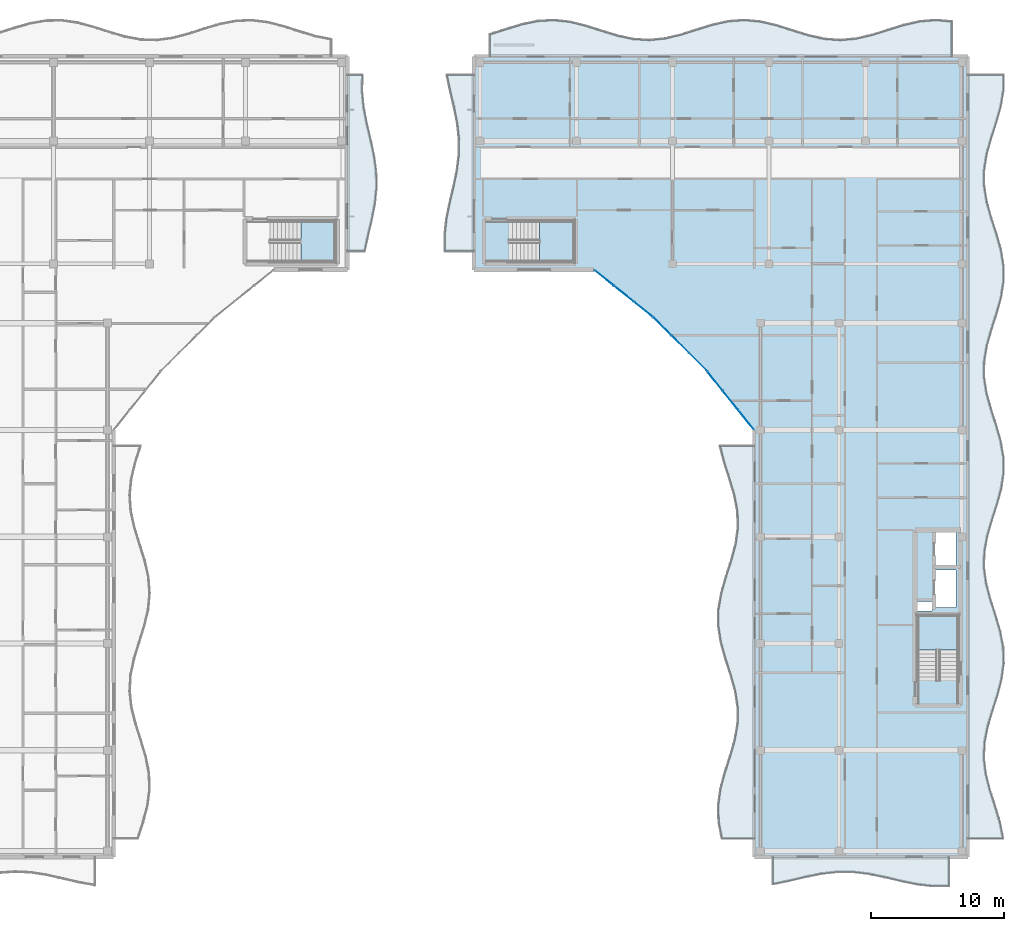
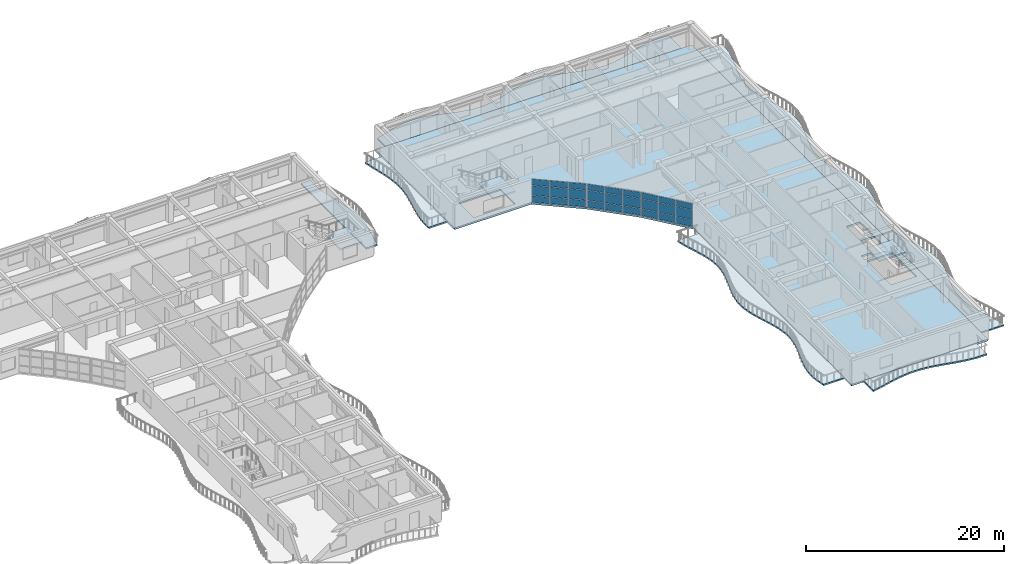
# One storey, part 28 of 71: 27 plates, 10 slabs, 6 elements without a shape of their own.
"""IFC4 building model written with IfcOpenShell, lengths in metres."""

from ifc_helpers import new_model, si_unit, direction, frame, origin, origin_2d, place, context, subcontext, project, spatial, polyline, rectangle, outline, extrude, material, layer, layer_set, type_object, element, aggregate, save


model = new_model("IFC4")

# Units and contexts
model_context = context("Model", 3, precision=1e-05, world=origin(), true_north=direction((0.0, 1.0)))
body_context = subcontext(model_context, "Body", "Model", "MODEL_VIEW")
ifc_project = project(units=[si_unit("LENGTHUNIT", "METRE"), si_unit("AREAUNIT", "SQUARE_METRE"), si_unit("VOLUMEUNIT", "CUBIC_METRE"), si_unit("PLANEANGLEUNIT", "RADIAN"), si_unit("MASSUNIT", "GRAM", prefix="KILO")], contexts=[model_context])

# Site, building, storey
site_placement = place(None, origin())
site = spatial("IfcSite", under=ifc_project, at=site_placement, CompositionType="ELEMENT")
building_placement = place(site_placement, origin())
building = spatial("IfcBuilding", under=site, at=building_placement, Name="Keldmere Railside Commons", CompositionType="ELEMENT")
storey_placement = place(building_placement, frame((0.0, 0.0, 20.159912109375)))
storey = spatial("IfcBuildingStorey", under=building, at=storey_placement, Name="L06", CompositionType="ELEMENT", Elevation=20.159912109375)

# Curtain wall, plates
ifc_material_1 = material(Name="Thermally Broken Aluminium", Category="aluminium")
ifc_layer_1 = layer(ifc_material_1, 0.159912109375, Name="Court Chord Wintergarden CW 5400x2850")
ifc_layer_set_1 = layer_set([ifc_layer_1], Name="Thermally Broken Aluminium")
curtain_wall_type_1 = type_object("IfcCurtainWallType", Name="Court Chord Wintergarden CW 5400x2850", PredefinedType="NOTDEFINED", material=ifc_layer_set_1)
curtain_wall_1_placement = place(storey_placement, origin())
curtain_wall_1 = element("IfcCurtainWall", 1, at=curtain_wall_1_placement, inside=storey, type_object=curtain_wall_type_1, Name="CW-13 CW-L06-175", PredefinedType="NOTDEFINED")
ifc_material_2 = material(Name="Low-E Insulated Double Glazing", Category="glass")
ifc_layer_2 = layer(ifc_material_2, 0.033935546875, Name="Acoustic Laminated Vision Panel 34")
ifc_layer_set_2 = layer_set([ifc_layer_2], Name="Low-E Insulated Double Glazing")
plate_type_1 = type_object("IfcPlateType", Name="Acoustic Laminated Vision Panel 34", PredefinedType="CURTAIN_PANEL", material=ifc_layer_set_2)
plate_1_placement = place(storey_placement, frame((159.678955078125, 97.048583984375, 0.06494140625), z_axis=(0.0, 0.0, 1.0), x_axis=(-0.780009172323, 0.625768080915, 0.0)))
plate_1 = element("IfcPlate", 2, at=plate_1_placement, type_object=plate_type_1, Name="CW-13 panel 1.1", PredefinedType="CURTAIN_PANEL", context=body_context, shape_type="SweptSolid", body=[
    extrude(rectangle(XDim=1.795654296875, YDim=0.033935546875, at=origin_2d()), origin(), (0.0, 0.0, 1.0), 0.802490234375),
])
plate_2_placement = place(storey_placement, frame((159.678955078125, 97.048583984375, 0.9326171875), z_axis=(0.0, 0.0, 1.0), x_axis=(-0.780009172323, 0.625768080915, 0.0)))
plate_2 = element("IfcPlate", 3, at=plate_2_placement, type_object=plate_type_1, Name="CW-13 panel 1.2", PredefinedType="CURTAIN_PANEL", context=body_context, shape_type="SweptSolid", body=[
    extrude(rectangle(XDim=1.795654296875, YDim=0.033935546875, at=origin_2d()), origin(), (0.0, 0.0, 1.0), 1.18505859375),
])
plate_3_placement = place(storey_placement, frame((159.678955078125, 97.048583984375, 2.1826171875), z_axis=(0.0, 0.0, 1.0), x_axis=(-0.780009172323, 0.625768080915, 0.0)))
plate_3 = element("IfcPlate", 4, at=plate_3_placement, type_object=plate_type_1, Name="CW-13 panel 1.3", PredefinedType="CURTAIN_PANEL", context=body_context, shape_type="SweptSolid", body=[
    extrude(rectangle(XDim=1.795654296875, YDim=0.033935546875, at=origin_2d()), origin(), (0.0, 0.0, 1.0), 0.732421875),
])
plate_4_placement = place(storey_placement, frame((158.215087890625, 98.222900390625, 0.06494140625), z_axis=(0.0, 0.0, 1.0), x_axis=(-0.780009172323, 0.625768080915, 0.0)))
plate_4 = element("IfcPlate", 5, at=plate_4_placement, type_object=plate_type_1, Name="CW-13 panel 2.1", PredefinedType="CURTAIN_PANEL", context=body_context, shape_type="SweptSolid", body=[
    extrude(rectangle(XDim=1.828125, YDim=0.033935546875, at=origin_2d()), origin(), (0.0, 0.0, 1.0), 0.802490234375),
])
plate_5_placement = place(storey_placement, frame((158.215087890625, 98.222900390625, 0.9326171875), z_axis=(0.0, 0.0, 1.0), x_axis=(-0.780009172323, 0.625768080915, 0.0)))
plate_5 = element("IfcPlate", 6, at=plate_5_placement, type_object=plate_type_1, Name="CW-13 panel 2.2", PredefinedType="CURTAIN_PANEL", context=body_context, shape_type="SweptSolid", body=[
    extrude(rectangle(XDim=1.828125, YDim=0.033935546875, at=origin_2d()), origin(), (0.0, 0.0, 1.0), 1.18505859375),
])
plate_6_placement = place(storey_placement, frame((158.215087890625, 98.222900390625, 2.1826171875), z_axis=(0.0, 0.0, 1.0), x_axis=(-0.780009172323, 0.625768080915, 0.0)))
plate_6 = element("IfcPlate", 7, at=plate_6_placement, type_object=plate_type_1, Name="CW-13 panel 2.3", PredefinedType="CURTAIN_PANEL", context=body_context, shape_type="SweptSolid", body=[
    extrude(rectangle(XDim=1.828125, YDim=0.033935546875, at=origin_2d()), origin(), (0.0, 0.0, 1.0), 0.732421875),
])
plate_7_placement = place(storey_placement, frame((156.7509765625, 99.3974609375, 0.06494140625), z_axis=(0.0, 0.0, 1.0), x_axis=(-0.780009172323, 0.625768080915, 0.0)))
plate_7 = element("IfcPlate", 8, at=plate_7_placement, type_object=plate_type_1, Name="CW-13 panel 3.1", PredefinedType="CURTAIN_PANEL", context=body_context, shape_type="SweptSolid", body=[
    extrude(rectangle(XDim=1.795654296875, YDim=0.033935546875, at=origin_2d()), origin(), (0.0, 0.0, 1.0), 0.802490234375),
])
plate_8_placement = place(storey_placement, frame((156.7509765625, 99.3974609375, 0.9326171875), z_axis=(0.0, 0.0, 1.0), x_axis=(-0.780009172323, 0.625768080915, 0.0)))
plate_8 = element("IfcPlate", 9, at=plate_8_placement, type_object=plate_type_1, Name="CW-13 panel 3.2", PredefinedType="CURTAIN_PANEL", context=body_context, shape_type="SweptSolid", body=[
    extrude(rectangle(XDim=1.795654296875, YDim=0.033935546875, at=origin_2d()), origin(), (0.0, 0.0, 1.0), 1.18505859375),
])
plate_9_placement = place(storey_placement, frame((156.7509765625, 99.3974609375, 2.1826171875), z_axis=(0.0, 0.0, 1.0), x_axis=(-0.780009172323, 0.625768080915, 0.0)))
plate_9 = element("IfcPlate", 10, at=plate_9_placement, type_object=plate_type_1, Name="CW-13 panel 3.3", PredefinedType="CURTAIN_PANEL", context=body_context, shape_type="SweptSolid", body=[
    extrude(rectangle(XDim=1.795654296875, YDim=0.033935546875, at=origin_2d()), origin(), (0.0, 0.0, 1.0), 0.732421875),
])
aggregate(curtain_wall_1, [plate_1, plate_2, plate_3, plate_4, plate_5, plate_6, plate_7, plate_8, plate_9])

ifc_layer_3 = layer(ifc_material_1, 0.159912109375, Name="Court Chord Wintergarden CW 4800x2850")
ifc_layer_set_3 = layer_set([ifc_layer_3], Name="Thermally Broken Aluminium")
curtain_wall_type_2 = type_object("IfcCurtainWallType", Name="Court Chord Wintergarden CW 4800x2850", PredefinedType="NOTDEFINED", material=ifc_layer_set_3)
curtain_wall_2_placement = place(storey_placement, origin())
curtain_wall_2 = element("IfcCurtainWall", 11, at=curtain_wall_2_placement, inside=storey, type_object=curtain_wall_type_2, Name="CW-12 CW-L06-176", PredefinedType="NOTDEFINED")
ifc_layer_4 = layer(ifc_material_2, 0.031982421875, Name="Clerestory Solar-Control Vision Panel 32")
ifc_layer_set_4 = layer_set([ifc_layer_4], Name="Low-E Insulated Double Glazing")
plate_type_2 = type_object("IfcPlateType", Name="Clerestory Solar-Control Vision Panel 32", PredefinedType="CURTAIN_PANEL", material=ifc_layer_set_4)
plate_10_placement = place(storey_placement, frame((163.76513671875, 93.11083984375, 0.06494140625), z_axis=(0.0, 0.0, 1.0), x_axis=(-0.707106781187, 0.707106781187, 0.0)))
plate_10 = element("IfcPlate", 12, at=plate_10_placement, type_object=plate_type_2, Name="CW-12 panel 1.1", PredefinedType="CURTAIN_PANEL", context=body_context, shape_type="SweptSolid", body=[
    extrude(rectangle(XDim=1.795654296875, YDim=0.031982421875, at=origin_2d()), origin(), (0.0, 0.0, 1.0), 0.802490234375),
])
plate_11_placement = place(storey_placement, frame((163.76513671875, 93.11083984375, 0.9326171875), z_axis=(0.0, 0.0, 1.0), x_axis=(-0.707106781187, 0.707106781187, 0.0)))
plate_11 = element("IfcPlate", 13, at=plate_11_placement, type_object=plate_type_2, Name="CW-12 panel 1.2", PredefinedType="CURTAIN_PANEL", context=body_context, shape_type="SweptSolid", body=[
    extrude(rectangle(XDim=1.795654296875, YDim=0.031982421875, at=origin_2d()), origin(), (0.0, 0.0, 1.0), 1.18505859375),
])
plate_12_placement = place(storey_placement, frame((163.76513671875, 93.11083984375, 2.1826171875), z_axis=(0.0, 0.0, 1.0), x_axis=(-0.707106781187, 0.707106781187, 0.0)))
plate_12 = element("IfcPlate", 14, at=plate_12_placement, type_object=plate_type_2, Name="CW-12 panel 1.3", PredefinedType="CURTAIN_PANEL", context=body_context, shape_type="SweptSolid", body=[
    extrude(rectangle(XDim=1.795654296875, YDim=0.031982421875, at=origin_2d()), origin(), (0.0, 0.0, 1.0), 0.732421875),
])
plate_13_placement = place(storey_placement, frame((162.43798828125, 94.43798828125, 0.06494140625), z_axis=(0.0, 0.0, 1.0), x_axis=(-0.707106781187, 0.707106781187, 0.0)))
plate_13 = element("IfcPlate", 15, at=plate_13_placement, type_object=plate_type_2, Name="CW-12 panel 2.1", PredefinedType="CURTAIN_PANEL", context=body_context, shape_type="SweptSolid", body=[
    extrude(rectangle(XDim=1.828125, YDim=0.031982421875, at=origin_2d()), origin(), (0.0, 0.0, 1.0), 0.802490234375),
])
plate_14_placement = place(storey_placement, frame((162.43798828125, 94.43798828125, 0.9326171875), z_axis=(0.0, 0.0, 1.0), x_axis=(-0.707106781187, 0.707106781187, 0.0)))
plate_14 = element("IfcPlate", 16, at=plate_14_placement, type_object=plate_type_2, Name="CW-12 panel 2.2", PredefinedType="CURTAIN_PANEL", context=body_context, shape_type="SweptSolid", body=[
    extrude(rectangle(XDim=1.828125, YDim=0.031982421875, at=origin_2d()), origin(), (0.0, 0.0, 1.0), 1.18505859375),
])
plate_15_placement = place(storey_placement, frame((162.43798828125, 94.43798828125, 2.1826171875), z_axis=(0.0, 0.0, 1.0), x_axis=(-0.707106781187, 0.707106781187, 0.0)))
plate_15 = element("IfcPlate", 17, at=plate_15_placement, type_object=plate_type_2, Name="CW-12 panel 2.3", PredefinedType="CURTAIN_PANEL", context=body_context, shape_type="SweptSolid", body=[
    extrude(rectangle(XDim=1.828125, YDim=0.031982421875, at=origin_2d()), origin(), (0.0, 0.0, 1.0), 0.732421875),
])
plate_16_placement = place(storey_placement, frame((161.11083984375, 95.76513671875, 0.06494140625), z_axis=(0.0, 0.0, 1.0), x_axis=(-0.707106781187, 0.707106781187, 0.0)))
plate_16 = element("IfcPlate", 18, at=plate_16_placement, type_object=plate_type_2, Name="CW-12 panel 3.1", PredefinedType="CURTAIN_PANEL", context=body_context, shape_type="SweptSolid", body=[
    extrude(rectangle(XDim=1.795654296875, YDim=0.031982421875, at=origin_2d()), origin(), (0.0, 0.0, 1.0), 0.802490234375),
])
plate_17_placement = place(storey_placement, frame((161.11083984375, 95.76513671875, 0.9326171875), z_axis=(0.0, 0.0, 1.0), x_axis=(-0.707106781187, 0.707106781187, 0.0)))
plate_17 = element("IfcPlate", 19, at=plate_17_placement, type_object=plate_type_2, Name="CW-12 panel 3.2", PredefinedType="CURTAIN_PANEL", context=body_context, shape_type="SweptSolid", body=[
    extrude(rectangle(XDim=1.795654296875, YDim=0.031982421875, at=origin_2d()), origin(), (0.0, 0.0, 1.0), 1.18505859375),
])
plate_18_placement = place(storey_placement, frame((161.11083984375, 95.76513671875, 2.1826171875), z_axis=(0.0, 0.0, 1.0), x_axis=(-0.707106781187, 0.707106781187, 0.0)))
plate_18 = element("IfcPlate", 20, at=plate_18_placement, type_object=plate_type_2, Name="CW-12 panel 3.3", PredefinedType="CURTAIN_PANEL", context=body_context, shape_type="SweptSolid", body=[
    extrude(rectangle(XDim=1.795654296875, YDim=0.031982421875, at=origin_2d()), origin(), (0.0, 0.0, 1.0), 0.732421875),
])
aggregate(curtain_wall_2, [plate_10, plate_11, plate_12, plate_13, plate_14, plate_15, plate_16, plate_17, plate_18])

# Stair, slab
ifc_material_3 = material(Name="Concrete H-30 (C30/37)", Category="concrete")
stair_type_1 = type_object("IfcStairType", Name="Basement Garage Dogleg Escape Stair 1450", PredefinedType="HALF_TURN_STAIR", material=ifc_material_3)
stair_1_placement = place(storey_placement, origin())
stair_1 = element("IfcStair", 21, at=stair_1_placement, inside=storey, type_object=stair_type_1, Name="L06 Block B Secondary Escape Stair 2", PredefinedType="HALF_TURN_STAIR")
ifc_layer_5 = layer(ifc_material_3, 0.199951171875, Name="Enclosed Stair Landing Slab 200")
ifc_layer_set_5 = layer_set([ifc_layer_5], Name="Concrete H-30 (C30/37)")
slab_type_1 = type_object("IfcSlabType", Name="Enclosed Stair Landing Slab 200", PredefinedType="LANDING", material=ifc_layer_set_5)
slab_1_placement = place(storey_placement, frame((0.0, 0.0, 1.400146484375)))
slab_1 = element("IfcSlab", 22, at=slab_1_placement, type_object=slab_type_1, Name="ST-B2 landing 1", PredefinedType="LANDING", context=body_context, shape_type="SweptSolid", body=[
    extrude(outline(polyline([(134.02001953125, 100.60009765625), (136.60009765625, 100.60009765625), (136.60009765625, 103.64990234375), (134.02001953125, 103.64990234375), (134.02001953125, 100.60009765625)])), origin(), (0.0, 0.0, 1.0), 0.199951171875),
])
aggregate(stair_1, [slab_1])

stair_type_2 = type_object("IfcStairType", Name="Residential Core Dogleg Stair 1450", PredefinedType="HALF_TURN_STAIR", material=ifc_material_3)
stair_2_placement = place(storey_placement, origin())
stair_2 = element("IfcStair", 23, at=stair_2_placement, inside=storey, type_object=stair_type_2, Name="L06 Block A Primary Escape Stair 1", PredefinedType="HALF_TURN_STAIR")
slab_2_placement = place(storey_placement, frame((0.0, 0.0, 1.400146484375)))
slab_2 = element("IfcSlab", 24, at=slab_2_placement, type_object=slab_type_1, Name="ST-A1 landing 1", PredefinedType="LANDING", context=body_context, shape_type="SweptSolid", body=[
    extrude(outline(polyline([(183.300048828125, 71.52001953125), (183.300048828125, 74.10009765625), (180.25, 74.10009765625), (180.25, 71.52001953125), (183.300048828125, 71.52001953125)])), origin(), (0.0, 0.0, 1.0), 0.199951171875),
])
aggregate(stair_2, [slab_2])

stair_3_placement = place(storey_placement, origin())
stair_3 = element("IfcStair", 25, at=stair_3_placement, inside=storey, type_object=stair_type_2, Name="L06 Block A Secondary Escape Stair 2", PredefinedType="HALF_TURN_STAIR")
slab_3_placement = place(storey_placement, frame((0.0, 0.0, 1.400146484375)))
slab_3 = element("IfcSlab", 26, at=slab_3_placement, type_object=slab_type_1, Name="ST-A2 landing 1", PredefinedType="LANDING", context=body_context, shape_type="SweptSolid", body=[
    extrude(outline(polyline([(151.919921875, 100.60009765625), (154.5, 100.60009765625), (154.5, 103.64990234375), (151.919921875, 103.64990234375), (151.919921875, 100.60009765625)])), origin(), (0.0, 0.0, 1.0), 0.199951171875),
])
aggregate(stair_3, [slab_3])

# Curtain wall, plates
curtain_wall_3_placement = place(storey_placement, origin())
curtain_wall_3 = element("IfcCurtainWall", 27, at=curtain_wall_3_placement, inside=storey, type_object=curtain_wall_type_1, Name="CW-13 CW-L06-177", PredefinedType="NOTDEFINED")
ifc_layer_6 = layer(ifc_material_2, 0.028076171875, Name="Low-E Vision Glazing Panel 28")
ifc_layer_set_6 = layer_set([ifc_layer_6], Name="Low-E Insulated Double Glazing")
plate_type_3 = type_object("IfcPlateType", Name="Low-E Vision Glazing Panel 28", PredefinedType="CURTAIN_PANEL", material=ifc_layer_set_6)
plate_19_placement = place(storey_placement, frame((167.3974609375, 88.7509765625, 0.06494140625), z_axis=(0.0, 0.0, 1.0), x_axis=(-0.625768080915, 0.780009172323, 0.0)))
plate_19 = element("IfcPlate", 28, at=plate_19_placement, type_object=plate_type_3, Name="CW-13 panel 1.1", PredefinedType="CURTAIN_PANEL", context=body_context, shape_type="SweptSolid", body=[
    extrude(rectangle(XDim=1.795654296875, YDim=0.028076171875, at=origin_2d()), origin(), (0.0, 0.0, 1.0), 0.802490234375),
])
plate_20_placement = place(storey_placement, frame((167.3974609375, 88.7509765625, 0.9326171875), z_axis=(0.0, 0.0, 1.0), x_axis=(-0.625768080915, 0.780009172323, 0.0)))
plate_20 = element("IfcPlate", 29, at=plate_20_placement, type_object=plate_type_3, Name="CW-13 panel 1.2", PredefinedType="CURTAIN_PANEL", context=body_context, shape_type="SweptSolid", body=[
    extrude(rectangle(XDim=1.795654296875, YDim=0.028076171875, at=origin_2d()), origin(), (0.0, 0.0, 1.0), 1.18505859375),
])
plate_21_placement = place(storey_placement, frame((167.3974609375, 88.7509765625, 2.1826171875), z_axis=(0.0, 0.0, 1.0), x_axis=(-0.625768080915, 0.780009172323, 0.0)))
plate_21 = element("IfcPlate", 30, at=plate_21_placement, type_object=plate_type_3, Name="CW-13 panel 1.3", PredefinedType="CURTAIN_PANEL", context=body_context, shape_type="SweptSolid", body=[
    extrude(rectangle(XDim=1.795654296875, YDim=0.028076171875, at=origin_2d()), origin(), (0.0, 0.0, 1.0), 0.732421875),
])
plate_22_placement = place(storey_placement, frame((166.222900390625, 90.215087890625, 0.06494140625), z_axis=(0.0, 0.0, 1.0), x_axis=(-0.625768080915, 0.780009172323, 0.0)))
plate_22 = element("IfcPlate", 31, at=plate_22_placement, type_object=plate_type_3, Name="CW-13 panel 2.1", PredefinedType="CURTAIN_PANEL", context=body_context, shape_type="SweptSolid", body=[
    extrude(rectangle(XDim=1.828125, YDim=0.028076171875, at=origin_2d()), origin(), (0.0, 0.0, 1.0), 0.802490234375),
])
plate_23_placement = place(storey_placement, frame((166.222900390625, 90.215087890625, 0.9326171875), z_axis=(0.0, 0.0, 1.0), x_axis=(-0.625768080915, 0.780009172323, 0.0)))
plate_23 = element("IfcPlate", 32, at=plate_23_placement, type_object=plate_type_3, Name="CW-13 panel 2.2", PredefinedType="CURTAIN_PANEL", context=body_context, shape_type="SweptSolid", body=[
    extrude(rectangle(XDim=1.828125, YDim=0.028076171875, at=origin_2d()), origin(), (0.0, 0.0, 1.0), 1.18505859375),
])
plate_24_placement = place(storey_placement, frame((166.222900390625, 90.215087890625, 2.1826171875), z_axis=(0.0, 0.0, 1.0), x_axis=(-0.625768080915, 0.780009172323, 0.0)))
plate_24 = element("IfcPlate", 33, at=plate_24_placement, type_object=plate_type_3, Name="CW-13 panel 2.3", PredefinedType="CURTAIN_PANEL", context=body_context, shape_type="SweptSolid", body=[
    extrude(rectangle(XDim=1.828125, YDim=0.028076171875, at=origin_2d()), origin(), (0.0, 0.0, 1.0), 0.732421875),
])
plate_25_placement = place(storey_placement, frame((165.048583984375, 91.678955078125, 0.06494140625), z_axis=(0.0, 0.0, 1.0), x_axis=(-0.625768080915, 0.780009172323, 0.0)))
plate_25 = element("IfcPlate", 34, at=plate_25_placement, type_object=plate_type_3, Name="CW-13 panel 3.1", PredefinedType="CURTAIN_PANEL", context=body_context, shape_type="SweptSolid", body=[
    extrude(rectangle(XDim=1.795654296875, YDim=0.028076171875, at=origin_2d()), origin(), (0.0, 0.0, 1.0), 0.802490234375),
])
plate_26_placement = place(storey_placement, frame((165.048583984375, 91.678955078125, 0.9326171875), z_axis=(0.0, 0.0, 1.0), x_axis=(-0.625768080915, 0.780009172323, 0.0)))
plate_26 = element("IfcPlate", 35, at=plate_26_placement, type_object=plate_type_3, Name="CW-13 panel 3.2", PredefinedType="CURTAIN_PANEL", context=body_context, shape_type="SweptSolid", body=[
    extrude(rectangle(XDim=1.795654296875, YDim=0.028076171875, at=origin_2d()), origin(), (0.0, 0.0, 1.0), 1.18505859375),
])
plate_27_placement = place(storey_placement, frame((165.048583984375, 91.678955078125, 2.1826171875), z_axis=(0.0, 0.0, 1.0), x_axis=(-0.625768080915, 0.780009172323, 0.0)))
plate_27 = element("IfcPlate", 36, at=plate_27_placement, type_object=plate_type_3, Name="CW-13 panel 3.3", PredefinedType="CURTAIN_PANEL", context=body_context, shape_type="SweptSolid", body=[
    extrude(rectangle(XDim=1.795654296875, YDim=0.028076171875, at=origin_2d()), origin(), (0.0, 0.0, 1.0), 0.732421875),
])
aggregate(curtain_wall_3, [plate_19, plate_20, plate_21, plate_22, plate_23, plate_24, plate_25, plate_26, plate_27])

# Slabs
ifc_layer_7 = layer(ifc_material_3, 0.219970703125, Name="Residential Flat Slab 220")
ifc_layer_set_7 = layer_set([ifc_layer_7], Name="Concrete H-30 (C30/37)")
slab_type_2 = type_object("IfcSlabType", Name="Residential Flat Slab 220", PredefinedType="FLOOR", material=ifc_layer_set_7)
slab_4_placement = place(storey_placement, frame((0.0, 0.0, -0.219970703125)))
element("IfcSlab", 37, at=slab_4_placement, inside=storey, type_object=slab_type_2, Name="FS-2 BLKA-L06-059", PredefinedType="FLOOR", context=body_context, shape_type="SweptSolid", body=[
    extrude(outline(polyline([(168.0, 56.0), (184.0, 56.0), (184.0, 116.0), (147.0, 116.0), (147.0, 100.0), (156.0, 100.0), (160.429931640625, 96.446044921875), (164.446044921875, 92.429931640625), (168.0, 88.0), (168.0, 56.0)]), holes=[polyline([(183.27490234375, 69.22509765625), (180.27490234375, 69.22509765625), (180.27490234375, 74.074951171875), (183.27490234375, 74.074951171875), (183.27490234375, 69.22509765625)]), polyline([(180.219970703125, 74.419921875), (180.219970703125, 75.159912109375), (181.320068359375, 75.159912109375), (181.320068359375, 74.419921875), (180.219970703125, 74.419921875)]), polyline([(183.10009765625, 74.699951171875), (181.5, 74.699951171875), (181.5, 77.5), (183.10009765625, 77.5), (183.10009765625, 74.699951171875)]), polyline([(183.10009765625, 77.75), (181.5, 77.75), (181.5, 80.39990234375), (183.10009765625, 80.39990234375), (183.10009765625, 77.75)]), polyline([(149.625, 103.625), (154.47509765625, 103.625), (154.47509765625, 100.625), (149.625, 100.625), (149.625, 103.625)])]), origin(), (0.0, 0.0, 1.0), 0.219970703125),
])
ifc_material_4 = material(Name="White Precast Concrete H-35 (C35/45)", Category="concrete")
ifc_layer_8 = layer(ifc_material_4, 0.179931640625, Name="Sinusoidal Wave Balcony Slab 180")
ifc_layer_set_8 = layer_set([ifc_layer_8], Name="White Precast Concrete H-35 (C35/45)")
slab_type_3 = type_object("IfcSlabType", Name="Sinusoidal Wave Balcony Slab 180", PredefinedType="FLOOR", material=ifc_layer_set_8)
slab_5_placement = place(storey_placement, frame((0.0, 0.0, -0.179931640625)))
element("IfcSlab", 38, at=slab_5_placement, inside=storey, type_object=slab_type_3, Name="WB-1 B L06 WE Wave Balcony", PredefinedType="FLOOR", context=body_context, shape_type="SweptSolid", body=[
    extrude(outline(polyline([(138.802734375, 101.39990234375), (139.0625, 102.60009765625), (139.345703125, 103.800048828125), (139.57666015625, 105.0), (139.693115234375, 106.199951171875), (139.6640625, 107.39990234375), (139.497314453125, 108.60009765625), (139.2373046875, 109.800048828125), (138.9541015625, 111.0), (138.723388671875, 112.199951171875), (138.60693359375, 113.39990234375), (138.635986328125, 114.60009765625), (137.5, 114.60009765625), (137.5, 113.39990234375), (137.5, 112.199951171875), (137.5, 111.0), (137.5, 109.800048828125), (137.5, 108.60009765625), (137.5, 107.39990234375), (137.5, 106.199951171875), (137.5, 105.0), (137.5, 103.800048828125), (137.5, 102.60009765625), (137.5, 101.39990234375), (138.802734375, 101.39990234375)])), origin(), (0.0, 0.0, 1.0), 0.179931640625),
])
slab_6_placement = place(storey_placement, frame((0.0, 0.0, -0.179931640625)))
element("IfcSlab", 39, at=slab_6_placement, inside=storey, type_object=slab_type_3, Name="WB-1 A L06 N Wave Balcony", PredefinedType="FLOOR", context=body_context, shape_type="SweptSolid", body=[
    extrude(outline(polyline([(148.199951171875, 116.0), (149.39306640625, 116.0), (150.586181640625, 116.0), (151.779296875, 116.0), (152.972412109375, 116.0), (154.16552734375, 116.0), (155.358642578125, 116.0), (156.5517578125, 116.0), (157.744873046875, 116.0), (158.93798828125, 116.0), (160.131103515625, 116.0), (161.32421875, 116.0), (162.51708984375, 116.0), (163.710205078125, 116.0), (164.9033203125, 116.0), (166.0966796875, 116.0), (167.289794921875, 116.0), (168.48291015625, 116.0), (169.67578125, 116.0), (170.868896484375, 116.0), (172.06201171875, 116.0), (173.255126953125, 116.0), (174.4482421875, 116.0), (175.641357421875, 116.0), (176.83447265625, 116.0), (178.027587890625, 116.0), (179.220703125, 116.0), (180.413818359375, 116.0), (181.60693359375, 116.0), (182.800048828125, 116.0), (182.800048828125, 118.598388671875), (181.60693359375, 118.699951171875), (180.413818359375, 118.602783203125), (179.220703125, 118.3330078125), (178.027587890625, 117.96142578125), (176.83447265625, 117.5869140625), (175.641357421875, 117.30859375), (174.4482421875, 117.2001953125), (173.255126953125, 117.29052734375), (172.06201171875, 117.555419921875), (170.868896484375, 117.925048828125), (169.67578125, 118.30126953125), (168.48291015625, 118.584228515625), (167.289794921875, 118.69921875), (166.0966796875, 118.61572265625), (164.9033203125, 118.35595703125), (163.710205078125, 117.98828125), (162.51708984375, 117.61083984375), (161.32421875, 117.322998046875), (160.131103515625, 117.201416015625), (158.93798828125, 117.278076171875), (157.744873046875, 117.53271484375), (156.5517578125, 117.89794921875), (155.358642578125, 118.277099609375), (154.16552734375, 118.5693359375), (152.972412109375, 118.69775390625), (151.779296875, 118.6279296875), (150.586181640625, 118.37841796875), (149.39306640625, 118.015380859375), (148.199951171875, 117.63525390625), (148.199951171875, 116.0)])), origin(), (0.0, 0.0, 1.0), 0.179931640625),
])
slab_7_placement = place(storey_placement, frame((0.0, 0.0, -0.179931640625)))
element("IfcSlab", 40, at=slab_7_placement, inside=storey, type_object=slab_type_3, Name="WB-1 A L06 CW Wave Balcony", PredefinedType="FLOOR", context=body_context, shape_type="SweptSolid", body=[
    extrude(outline(polyline([(168.0, 57.39990234375), (168.0, 58.625), (168.0, 59.85009765625), (168.0, 61.074951171875), (168.0, 62.300048828125), (168.0, 63.52490234375), (168.0, 64.75), (168.0, 65.97509765625), (168.0, 67.199951171875), (168.0, 68.425048828125), (168.0, 69.64990234375), (168.0, 70.875), (168.0, 72.10009765625), (168.0, 73.324951171875), (168.0, 74.550048828125), (168.0, 75.77490234375), (168.0, 77.0), (168.0, 78.22509765625), (168.0, 79.449951171875), (168.0, 80.675048828125), (168.0, 81.89990234375), (168.0, 83.125), (168.0, 84.35009765625), (168.0, 85.574951171875), (168.0, 86.800048828125), (165.449462890625, 86.800048828125), (165.761962890625, 85.574951171875), (166.155029296875, 84.35009765625), (166.5185546875, 83.125), (166.751708984375, 81.89990234375), (166.788818359375, 80.675048828125), (166.619873046875, 79.449951171875), (166.2919921875, 78.22509765625), (165.896728515625, 77.0), (165.544189453125, 75.77490234375), (165.33251953125, 74.550048828125), (165.3212890625, 73.324951171875), (165.51318359375, 72.10009765625), (165.85498046875, 70.875), (166.2509765625, 69.64990234375), (166.591064453125, 68.425048828125), (166.7802734375, 67.199951171875), (166.765625, 65.97509765625), (166.551513671875, 64.75), (166.197509765625, 63.52490234375), (165.80224609375, 62.300048828125), (165.47607421875, 61.074951171875), (165.310302734375, 59.85009765625), (165.3505859375, 58.625), (165.586181640625, 57.39990234375), (168.0, 57.39990234375)])), origin(), (0.0, 0.0, 1.0), 0.179931640625),
])
slab_8_placement = place(storey_placement, frame((0.0, 0.0, -0.179931640625)))
element("IfcSlab", 41, at=slab_8_placement, inside=storey, type_object=slab_type_3, Name="WB-1 A L06 CE Wave Balcony", PredefinedType="FLOOR", context=body_context, shape_type="SweptSolid", body=[
    extrude(outline(polyline([(186.64208984375, 57.39990234375), (186.40673828125, 58.591796875), (186.05078125, 59.783203125), (185.668212890625, 60.97509765625), (185.360107421875, 62.166748046875), (185.2080078125, 63.3583984375), (185.251953125, 64.550048828125), (185.48046875, 65.74169921875), (185.8330078125, 66.933349609375), (186.216552734375, 68.125), (186.529541015625, 69.316650390625), (186.689453125, 70.50830078125), (186.65380859375, 71.699951171875), (186.432373046875, 72.8916015625), (186.083251953125, 74.083251953125), (185.69873046875, 75.27490234375), (185.380859375, 76.466796875), (185.21337890625, 77.658203125), (185.240478515625, 78.85009765625), (185.455322265625, 80.041748046875), (185.80078125, 81.2333984375), (186.185791015625, 82.425048828125), (186.50830078125, 83.61669921875), (186.683349609375, 84.808349609375), (186.66455078125, 86.0), (186.456787109375, 87.191650390625), (186.115234375, 88.38330078125), (185.72998046875, 89.574951171875), (185.40283203125, 90.7666015625), (185.22021484375, 91.958251953125), (185.230712890625, 93.14990234375), (185.43115234375, 94.341796875), (185.768798828125, 95.533203125), (186.154296875, 96.72509765625), (186.48583984375, 97.916748046875), (186.67578125, 99.1083984375), (186.673828125, 100.300048828125), (186.48046875, 101.49169921875), (186.14697265625, 102.683349609375), (185.761474609375, 103.875), (185.425537109375, 105.066650390625), (185.228515625, 106.25830078125), (185.22216796875, 107.449951171875), (185.408203125, 108.6416015625), (185.7373046875, 109.833251953125), (186.122802734375, 111.02490234375), (186.46240234375, 112.216796875), (186.666748046875, 113.408203125), (186.681640625, 114.60009765625), (184.0, 114.60009765625), (184.0, 113.408203125), (184.0, 112.216796875), (184.0, 111.02490234375), (184.0, 109.833251953125), (184.0, 108.6416015625), (184.0, 107.449951171875), (184.0, 106.25830078125), (184.0, 105.066650390625), (184.0, 103.875), (184.0, 102.683349609375), (184.0, 101.49169921875), (184.0, 100.300048828125), (184.0, 99.1083984375), (184.0, 97.916748046875), (184.0, 96.72509765625), (184.0, 95.533203125), (184.0, 94.341796875), (184.0, 93.14990234375), (184.0, 91.958251953125), (184.0, 90.7666015625), (184.0, 89.574951171875), (184.0, 88.38330078125), (184.0, 87.191650390625), (184.0, 86.0), (184.0, 84.808349609375), (184.0, 83.61669921875), (184.0, 82.425048828125), (184.0, 81.2333984375), (184.0, 80.041748046875), (184.0, 78.85009765625), (184.0, 77.658203125), (184.0, 76.466796875), (184.0, 75.27490234375), (184.0, 74.083251953125), (184.0, 72.8916015625), (184.0, 71.699951171875), (184.0, 70.50830078125), (184.0, 69.316650390625), (184.0, 68.125), (184.0, 66.933349609375), (184.0, 65.74169921875), (184.0, 64.550048828125), (184.0, 63.3583984375), (184.0, 62.166748046875), (184.0, 60.97509765625), (184.0, 59.783203125), (184.0, 58.591796875), (184.0, 57.39990234375), (186.64208984375, 57.39990234375)])), origin(), (0.0, 0.0, 1.0), 0.179931640625),
])
slab_9_placement = place(storey_placement, frame((0.0, 0.0, -0.179931640625)))
element("IfcSlab", 42, at=slab_9_placement, inside=storey, type_object=slab_type_3, Name="WB-1 A L06 WW Wave Balcony", PredefinedType="FLOOR", context=body_context, shape_type="SweptSolid", body=[
    extrude(outline(polyline([(147.0, 101.39990234375), (147.0, 102.60009765625), (147.0, 103.800048828125), (147.0, 105.0), (147.0, 106.199951171875), (147.0, 107.39990234375), (147.0, 108.60009765625), (147.0, 109.800048828125), (147.0, 111.0), (147.0, 112.199951171875), (147.0, 113.39990234375), (147.0, 114.60009765625), (144.977783203125, 114.60009765625), (145.230224609375, 113.39990234375), (145.5146484375, 112.199951171875), (145.7548828125, 111.0), (145.88671875, 109.800048828125), (145.874755859375, 108.60009765625), (145.72216796875, 107.39990234375), (145.4697265625, 106.199951171875), (145.185302734375, 105.0), (144.945068359375, 103.800048828125), (144.813232421875, 102.60009765625), (144.8251953125, 101.39990234375), (147.0, 101.39990234375)])), origin(), (0.0, 0.0, 1.0), 0.179931640625),
])
slab_10_placement = place(storey_placement, frame((0.0, 0.0, -0.179931640625)))
element("IfcSlab", 43, at=slab_10_placement, inside=storey, type_object=slab_type_3, Name="WB-1 A L06 S Wave Balcony", PredefinedType="FLOOR", context=body_context, shape_type="SweptSolid", body=[
    extrude(outline(polyline([(169.39990234375, 53.965087890625), (170.60009765625, 54.21337890625), (171.800048828125, 54.498046875), (173.0, 54.742919921875), (174.199951171875, 54.8828125), (175.39990234375, 54.879638671875), (176.60009765625, 54.73486328125), (177.800048828125, 54.48681640625), (179.0, 54.201904296875), (180.199951171875, 53.95703125), (181.39990234375, 53.8173828125), (182.60009765625, 53.8203125), (182.60009765625, 56.0), (181.39990234375, 56.0), (180.199951171875, 56.0), (179.0, 56.0), (177.800048828125, 56.0), (176.60009765625, 56.0), (175.39990234375, 56.0), (174.199951171875, 56.0), (173.0, 56.0), (171.800048828125, 56.0), (170.60009765625, 56.0), (169.39990234375, 56.0), (169.39990234375, 53.965087890625)])), origin(), (0.0, 0.0, 1.0), 0.179931640625),
])

save(model, "model.ifc")
